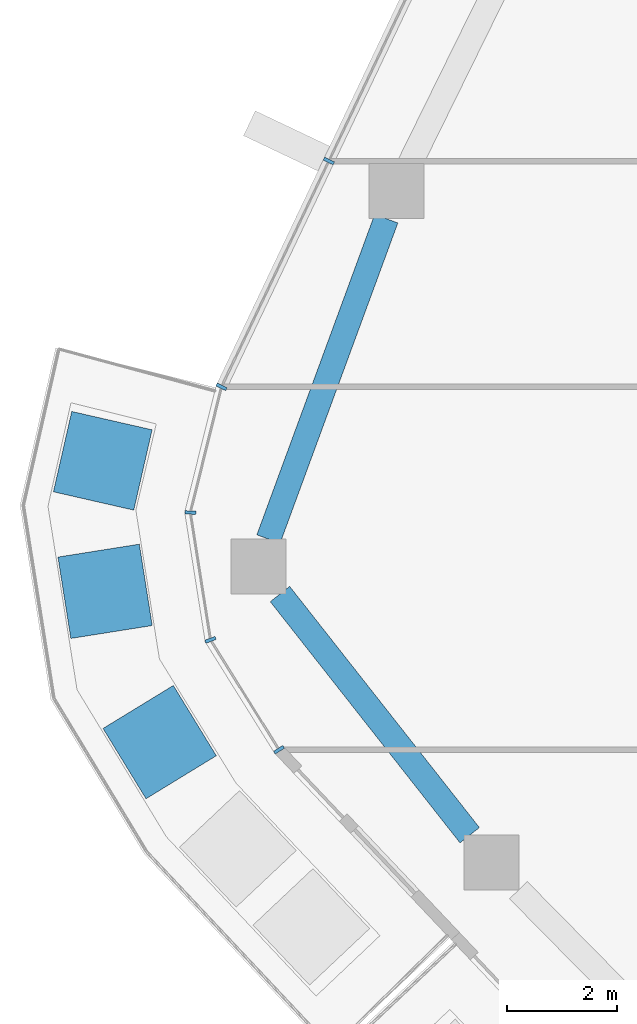
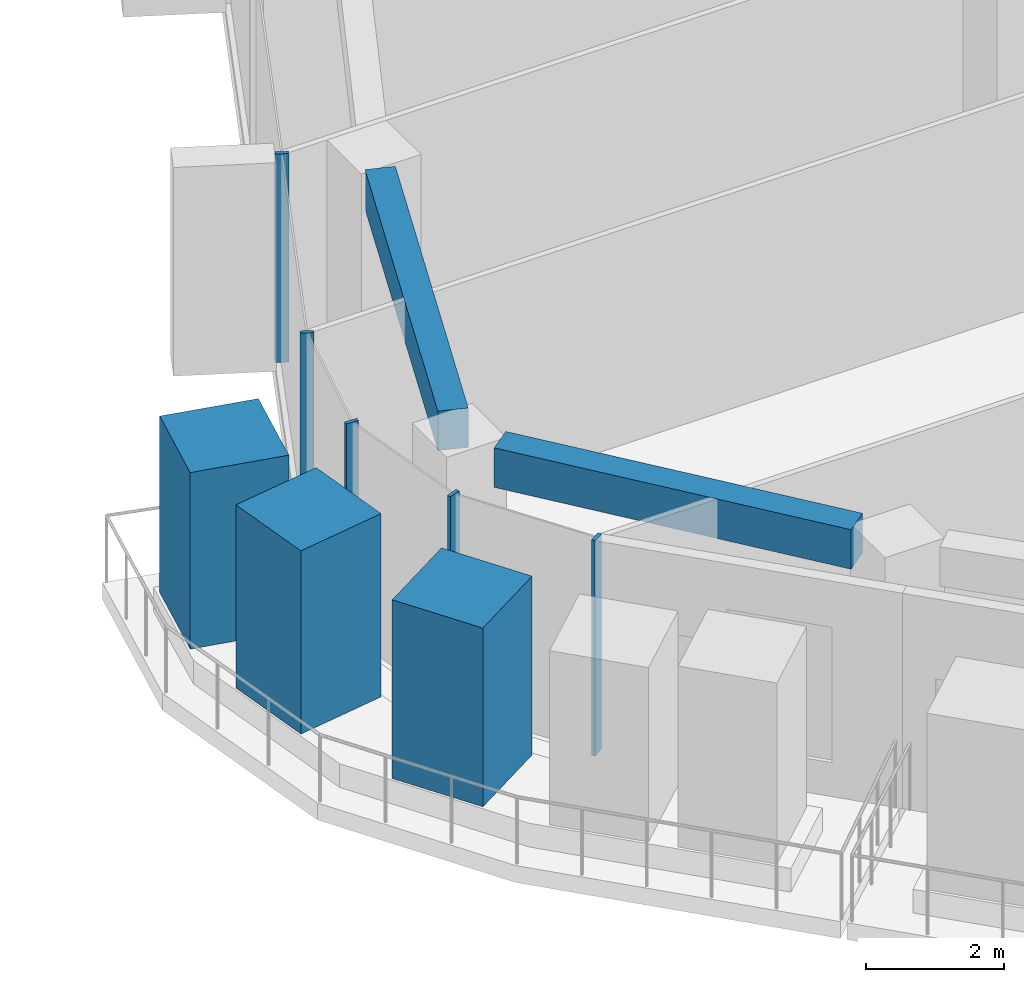
# One storey, part 3 of 24: 8 members, 2 beams, 2 elements without a shape of their own.
"""IFC4 building model written with IfcOpenShell, lengths in metres."""

from ifc_helpers import new_model, si_unit, direction, frame, origin, origin_2d, place, context, subcontext, project, spatial, rectangle, extrude, material, layer, layer_set, material_profile, profile_set, type_object, element, aggregate, save


model = new_model("IFC4")

# Units and contexts
model_context = context("Model", 3, precision=1e-05, world=origin(), true_north=direction((0.0, 1.0)))
body_context = subcontext(model_context, "Body", "Model", "MODEL_VIEW")
ifc_project = project(units=[si_unit("LENGTHUNIT", "METRE"), si_unit("AREAUNIT", "SQUARE_METRE"), si_unit("VOLUMEUNIT", "CUBIC_METRE"), si_unit("PLANEANGLEUNIT", "RADIAN"), si_unit("MASSUNIT", "GRAM", prefix="KILO")], contexts=[model_context])

# Site, building, storey
site_placement = place(None, origin())
site = spatial("IfcSite", under=ifc_project, at=site_placement, CompositionType="ELEMENT")
building_placement = place(site_placement, origin())
building = spatial("IfcBuilding", under=site, at=building_placement, Name="Dongbaek Canopy Tower", CompositionType="ELEMENT")
storey_placement = place(building_placement, frame((0.0, 0.0, 294.199951171875)))
storey = spatial("IfcBuildingStorey", under=building, at=storey_placement, Name="L62", CompositionType="ELEMENT", Elevation=294.199951171875)

# Curtain wall, members
ifc_material_1 = material(Name="Aluminium 6063-T6 pale anodised", Category="aluminium")
ifc_layer = layer(ifc_material_1, 0.199951171875)
ifc_layer_set = layer_set([ifc_layer], Name="CW-1 unitised tower curtain wall")
curtain_wall_type = type_object("IfcCurtainWallType", Name="CW-1 unitised tower curtain wall", PredefinedType="NOTDEFINED", material=ifc_layer_set)
curtain_wall_1_placement = place(storey_placement, origin())
curtain_wall_1 = element("IfcCurtainWall", 1, at=curtain_wall_1_placement, inside=storey, type_object=curtain_wall_type, Name="CW-1 curtain wall F2.1", PredefinedType="NOTDEFINED")
ifc_material_2 = material(Name="Aluminium 6063-T6 pale anodised", Category="aluminium")
ifc_material_profile_1 = material_profile(ifc_material_2, rectangle(XDim=0.199951171875, YDim=0.06005859375, at=origin_2d()), Name="CW-1 mullion 60 x 200")
ifc_profile_set_1 = profile_set([ifc_material_profile_1], Name="Aluminium 6063-T6 pale anodised")
member_type_1 = type_object("IfcMemberType", Name="CW-1 mullion 60 x 200", PredefinedType="MULLION", material=ifc_profile_set_1)
member_1_placement = place(storey_placement, frame((-29.84619140625, 0.635498046875, 0.1201171875), z_axis=(0.0, 0.0, 1.0), x_axis=(-0.903236413866, 0.429143310174, 0.0)))
member_1 = element("IfcMember", 2, at=member_1_placement, type_object=member_type_1, Name="CW-1 mullion F2.1.7", PredefinedType="MULLION", context=body_context, shape_type="SweptSolid", body=[
    extrude(rectangle(XDim=0.199951171875, YDim=0.06005859375, at=origin_2d()), origin(), (0.0, 0.0, 1.0), 3.699951171875),
])
member_2_placement = place(storey_placement, frame((-31.79931640625, -3.47509765625, 0.1201171875), z_axis=(0.0, 0.0, 1.0), x_axis=(-0.903236413866, 0.429143310174, 0.0)))
member_2 = element("IfcMember", 3, at=member_2_placement, type_object=member_type_1, Name="CW-1 mullion F2.1.8", PredefinedType="MULLION", context=body_context, shape_type="SweptSolid", body=[
    extrude(rectangle(XDim=0.199951171875, YDim=0.06005859375, at=origin_2d()), origin(), (0.0, 0.0, 1.0), 3.699951171875),
])
aggregate(curtain_wall_1, [member_1, member_2])

curtain_wall_2_placement = place(storey_placement, origin())
curtain_wall_2 = element("IfcCurtainWall", 4, at=curtain_wall_2_placement, inside=storey, type_object=curtain_wall_type, Name="CW-1 curtain wall K3.1", PredefinedType="NOTDEFINED")
member_3_placement = place(storey_placement, frame((-32.366943359375, -5.761962890625, 0.0), z_axis=(0.0, 0.0, 1.0), x_axis=(-0.999071404332, 0.043085137172, 0.0)))
member_3 = element("IfcMember", 5, at=member_3_placement, type_object=member_type_1, Name="CW-1 mullion K3.1.2", PredefinedType="MULLION", context=body_context, shape_type="SweptSolid", body=[
    extrude(rectangle(XDim=0.199951171875, YDim=0.06005859375, at=origin_2d()), origin(), (0.0, 0.0, 1.0), 3.820068359375),
])
member_4_placement = place(storey_placement, frame((-32.0, -8.0791015625, 0.0), z_axis=(0.0, 0.0, 1.0), x_axis=(-0.936828063749, -0.349790192789, 0.0)))
member_4 = element("IfcMember", 6, at=member_4_placement, type_object=member_type_1, Name="CW-1 mullion K3.1.3", PredefinedType="MULLION", context=body_context, shape_type="SweptSolid", body=[
    extrude(rectangle(XDim=0.199951171875, YDim=0.06005859375, at=origin_2d()), origin(), (0.0, 0.0, 1.0), 3.820068359375),
])
member_5_placement = place(storey_placement, frame((-30.753173828125, -10.07861328125, 0.0), z_axis=(0.0, 0.0, 1.0), x_axis=(-0.848543418091, -0.529125757844, 0.0)))
member_5 = element("IfcMember", 7, at=member_5_placement, type_object=member_type_1, Name="CW-1 mullion K3.1.4", PredefinedType="MULLION", context=body_context, shape_type="SweptSolid", body=[
    extrude(rectangle(XDim=0.199951171875, YDim=0.06005859375, at=origin_2d()), origin(), (0.0, 0.0, 1.0), 3.820068359375),
])
aggregate(curtain_wall_2, [member_3, member_4, member_5])

# Beams
ifc_material_3 = material(Name="Concrete C60", Category="concrete")
ifc_material_profile_2 = material_profile(ifc_material_3, rectangle(XDim=0.449951171875, YDim=0.699951171875, at=origin_2d()), Name="RC EDGE BEAM 450x700 C60")
ifc_profile_set_2 = profile_set([ifc_material_profile_2], Name="Concrete C60")
beam_type = type_object("IfcBeamType", Name="RC EDGE BEAM 450x700 C60", PredefinedType="BEAM", material=ifc_profile_set_2)
beam_1_placement = place(storey_placement, frame((-27.282470703125, -11.634033203125, 3.469970703125), z_axis=(-0.618340786972, 0.78591009102, 0.0), x_axis=(-0.78591009102, -0.618340786972, 0.0)))
element("IfcBeam", 8, at=beam_1_placement, inside=storey, type_object=beam_type, Name="EDGEBEAM:L62:07", PredefinedType="BEAM", context=body_context, shape_type="SweptSolid", body=[
    extrude(rectangle(XDim=0.449951171875, YDim=0.699951171875, at=origin_2d()), origin(), (0.0, 0.0, 1.0), 5.58447265625),
])
beam_2_placement = place(storey_placement, frame((-30.945068359375, -6.2451171875, 3.469970703125), z_axis=(0.345138950659, 0.938551599401, 0.0), x_axis=(-0.938551599401, 0.345138950659, 0.0)))
element("IfcBeam", 9, at=beam_2_placement, inside=storey, type_object=beam_type, Name="EDGEBEAM:L62:08", PredefinedType="BEAM", context=body_context, shape_type="SweptSolid", body=[
    extrude(rectangle(XDim=0.449951171875, YDim=0.699951171875, at=origin_2d()), origin(), (0.0, 0.0, 1.0), 6.212890625),
])

# Members
ifc_material_4 = material(Name="Concrete C40/50 planter mass with planting", Category="concrete")
ifc_material_profile_3 = material_profile(ifc_material_4, rectangle(XDim=1.5, YDim=1.5, at=origin_2d()), Name="Terrace PLANTER shrub mass 1500 x 1500")
ifc_profile_set_3 = profile_set([ifc_material_profile_3], Name="Concrete C40/50 planter mass with planting")
member_type_2 = type_object("IfcMemberType", Name="Terrace PLANTER shrub mass 1500 x 1500", PredefinedType="USERDEFINED", material=ifc_profile_set_3)
member_6_placement = place(storey_placement, frame((-33.960205078125, -4.820556640625, 0.420166015625), z_axis=(0.0, 0.0, 1.0), x_axis=(-0.974954789681, 0.222403143141, 0.0)))
element("IfcMember", 10, at=member_6_placement, inside=storey, type_object=member_type_2, Name="Planter shrubs L62 7.1", ObjectType="PLANTER", PredefinedType="USERDEFINED", context=body_context, shape_type="SweptSolid", body=[
    extrude(rectangle(XDim=1.5, YDim=1.5, at=origin_2d()), origin(), (0.0, 0.0, 1.0), 3.1298828125),
])
member_7_placement = place(storey_placement, frame((-33.91796875, -7.195556640625, 0.420166015625), z_axis=(0.0, 0.0, 1.0), x_axis=(-0.987681347325, -0.156478612427, 0.0)))
element("IfcMember", 11, at=member_7_placement, inside=storey, type_object=member_type_2, Name="Planter shrubs L62 7.2", ObjectType="PLANTER", PredefinedType="USERDEFINED", context=body_context, shape_type="SweptSolid", body=[
    extrude(rectangle(XDim=1.5, YDim=1.5, at=origin_2d()), origin(), (0.0, 0.0, 1.0), 3.25),
])
member_8_placement = place(storey_placement, frame((-32.924560546875, -9.939697265625, 0.420166015625), z_axis=(0.0, 0.0, 1.0), x_axis=(-0.853140317648, -0.521681510506, 0.0)))
element("IfcMember", 12, at=member_8_placement, inside=storey, type_object=member_type_2, Name="Planter shrubs L62 7.3", ObjectType="PLANTER", PredefinedType="USERDEFINED", context=body_context, shape_type="SweptSolid", body=[
    extrude(rectangle(XDim=1.5, YDim=1.5, at=origin_2d()), origin(), (0.0, 0.0, 1.0), 3.169921875),
])

save(model, "model.ifc")
